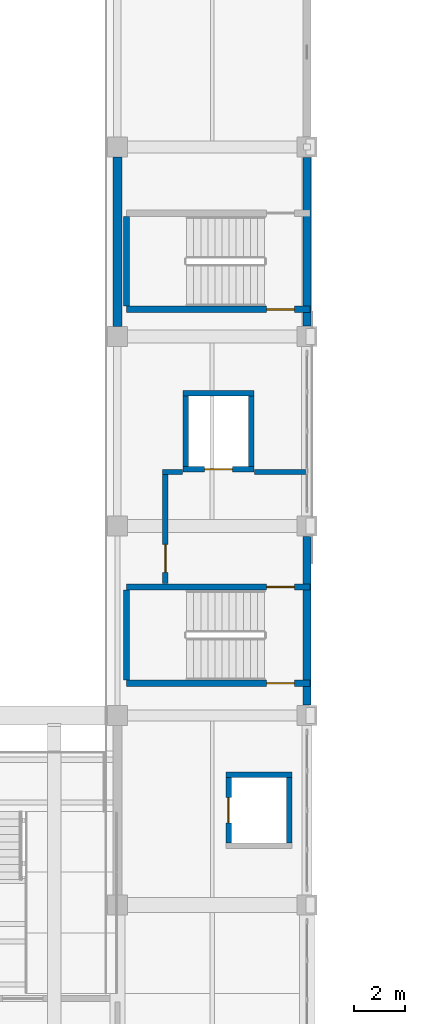
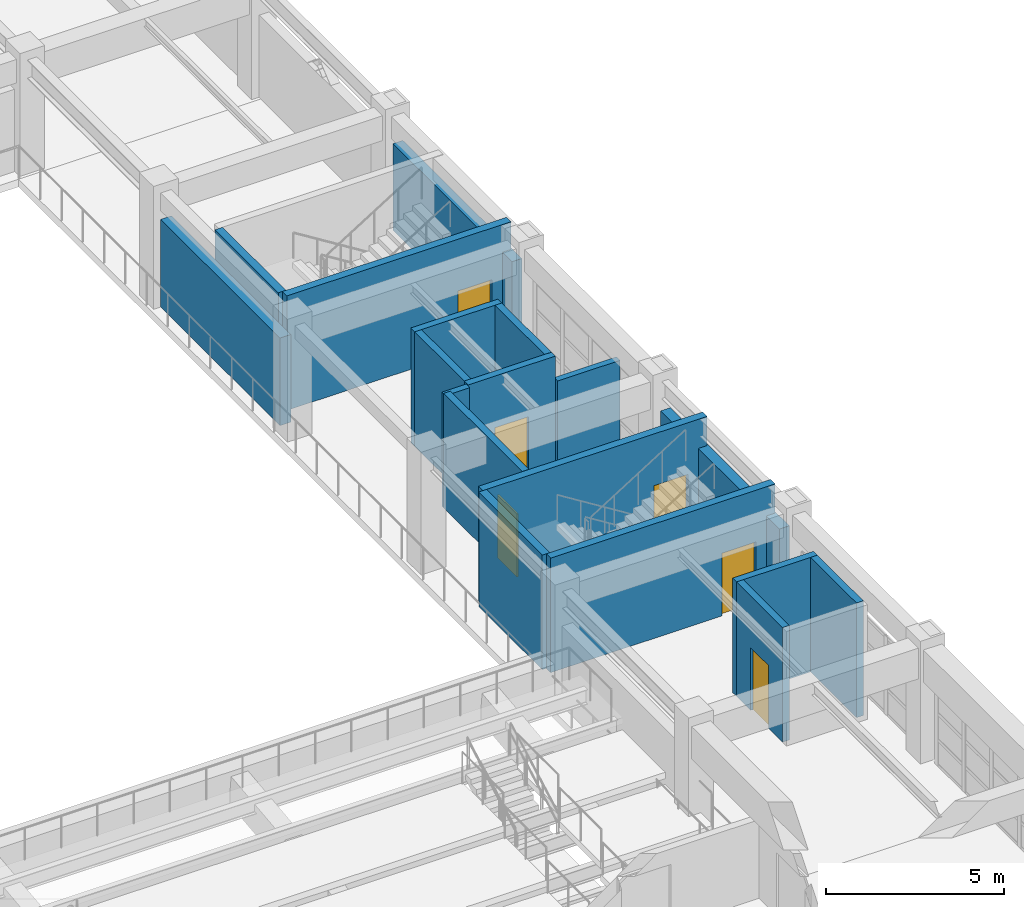
# One storey, part 95 of 124: 18 walls, 6 doors, 6 openings.
"""IFC4 building model written with IfcOpenShell, lengths in metres."""

from ifc_helpers import new_model, si_unit, direction, frame, frame_2d, origin, place, context, subcontext, project, spatial, rectangle, extrude, material, layer, layer_set, type_object, element, fill, save


model = new_model("IFC4")

# Units and contexts
model_context = context("Model", 3, precision=1e-05, world=origin(), true_north=direction((0.0, 1.0)))
body_context = subcontext(model_context, "Body", "Model", "MODEL_VIEW")
ifc_project = project(units=[si_unit("LENGTHUNIT", "METRE"), si_unit("AREAUNIT", "SQUARE_METRE"), si_unit("VOLUMEUNIT", "CUBIC_METRE"), si_unit("PLANEANGLEUNIT", "RADIAN"), si_unit("MASSUNIT", "GRAM", prefix="KILO")], contexts=[model_context])

# Site, building, storey
site_placement = place(None, origin())
site = spatial("IfcSite", under=ifc_project, at=site_placement, CompositionType="ELEMENT")
building_placement = place(site_placement, origin())
building = spatial("IfcBuilding", under=site, at=building_placement, Name="Qasida Concert Hall", CompositionType="ELEMENT")
storey_placement = place(building_placement, frame((0.0, 0.0, 9.0)))
storey = spatial("IfcBuildingStorey", under=building, at=storey_placement, Name="L02", CompositionType="ELEMENT", Elevation=9.0)

# Wall
ifc_material_1 = material(Name="Concrete C40/50", Category="concrete")
ifc_layer_1 = layer(ifc_material_1, 0.219970703125, Name="Concrete C40/50")
ifc_layer_set_1 = layer_set([ifc_layer_1], Name="Concrete C40/50")
wall_type_1 = type_object("IfcWallType", Name="WL-CW-220", PredefinedType="SOLIDWALL", material=ifc_layer_set_1)
wall_1_placement = place(storey_placement, frame((101.7900390625, 42.64990234375, 0.0), z_axis=(0.0, 0.0, 1.0), x_axis=(1.0, 0.0, 0.0)))
element("IfcWall", 1, at=wall_1_placement, inside=storey, type_object=wall_type_1, Name="L02 LF-02 lift shaft wall N", PredefinedType="SOLIDWALL", context=body_context, shape_type="SweptSolid", body=[
    extrude(rectangle(XDim=2.619873046875, YDim=0.219970703125, at=frame_2d((1.31005859375, 0.0))), origin(), (0.0, 0.0, 1.0), 3.919921875),
])

# Wall, opening, door
wall_2_placement = place(storey_placement, frame((101.89990234375, 39.9599609375, 0.0), z_axis=(0.0, 0.0, 1.0), x_axis=(0.0, 1.0, 0.0)))
wall_2 = element("IfcWall", 2, at=wall_2_placement, inside=storey, type_object=wall_type_1, Name="L02 LF-02 lift shaft wall W", PredefinedType="SOLIDWALL", context=body_context, shape_type="SweptSolid", body=[
    extrude(rectangle(XDim=2.580078125, YDim=0.219970703125, at=frame_2d((1.2900390625, 0.0))), origin(), (0.0, 0.0, 1.0), 3.919921875),
])
opening_1_placement = place(wall_2_placement, frame((0.7900390625, 0.0, 0.0)))
opening_1 = element("IfcOpeningElement", 3, at=opening_1_placement, cuts=wall_2, Name="Opening LD-100", PredefinedType="OPENING", context=body_context, shape_type="SweptSolid", body=[
    extrude(rectangle(XDim=1.0, YDim=2.14990234375, at=frame_2d((0.5, 1.074951171875))), frame((0.0, 0.119873046875, 0.0), z_axis=(0.0, -1.0, 0.0), x_axis=(1.0, 0.0, 0.0)), (0.0, 0.0, 1.0), 0.239990234375),
])
ifc_material_2 = material(Name="Brushed bronze passenger lift landing door", Category="steel")
door_type_1 = type_object("IfcDoorType", Name="LD-100", OperationType="SLIDING_TO_LEFT", PredefinedType="DOOR", material=ifc_material_2)
door_1_placement = place(opening_1_placement, origin())
door_1 = element("IfcDoor", 4, at=door_1_placement, inside=storey, type_object=door_type_1, Name="Lift landing door LF-02 L02", OperationType="SLIDING_TO_LEFT", OverallHeight=2.14990234375, OverallWidth=1.0, PredefinedType="DOOR", context=body_context, shape_type="SweptSolid", body=[
    extrude(rectangle(XDim=1.0, YDim=2.14990234375, at=frame_2d((0.5, 1.074951171875))), frame((0.0, 0.02490234375, 0.0), z_axis=(0.0, -1.0, 0.0), x_axis=(1.0, 0.0, 0.0)), (0.0, 0.0, 1.0), 0.050048828125),
])
fill(opening_1, door_1)

# Wall
wall_3_placement = place(storey_placement, frame((104.300048828125, 39.9599609375, 0.0), z_axis=(0.0, 0.0, 1.0), x_axis=(0.0, 1.0, 0.0)))
element("IfcWall", 5, at=wall_3_placement, inside=storey, type_object=wall_type_1, Name="L02 LF-02 lift shaft wall E", PredefinedType="SOLIDWALL", context=body_context, shape_type="SweptSolid", body=[
    extrude(rectangle(XDim=2.580078125, YDim=0.219970703125, at=frame_2d((1.2900390625, 0.0))), origin(), (0.0, 0.0, 1.0), 3.919921875),
])

# Wall, opening, door
wall_4_placement = place(storey_placement, frame((100.090087890625, 54.75, 0.0), z_axis=(0.0, 0.0, 1.0), x_axis=(1.0, 0.0, 0.0)))
wall_4 = element("IfcWall", 6, at=wall_4_placement, inside=storey, type_object=wall_type_1, Name="L02 LF-04 lift shaft wall S", PredefinedType="SOLIDWALL", context=body_context, shape_type="SweptSolid", body=[
    extrude(rectangle(XDim=2.81982421875, YDim=0.219970703125, at=frame_2d((1.409912109375, 0.0))), origin(), (0.0, 0.0, 1.0), 3.919921875),
])
opening_2_placement = place(wall_4_placement, frame((0.860107421875, 0.0, 0.0)))
opening_2 = element("IfcOpeningElement", 7, at=opening_2_placement, cuts=wall_4, Name="Opening LD-110", PredefinedType="OPENING", context=body_context, shape_type="SweptSolid", body=[
    extrude(rectangle(XDim=1.10009765625, YDim=2.14990234375, at=frame_2d((0.550048828125, 1.074951171875))), frame((0.0, 0.119873046875, 0.0), z_axis=(0.0, -1.0, 0.0), x_axis=(1.0, 0.0, 0.0)), (0.0, 0.0, 1.0), 0.239990234375),
])
ifc_material_3 = material(Name="Firefighting lift sliding landing door", Category="steel")
door_type_2 = type_object("IfcDoorType", Name="LD-110", OperationType="SLIDING_TO_LEFT", PredefinedType="DOOR", material=ifc_material_3)
door_2_placement = place(opening_2_placement, origin())
door_2 = element("IfcDoor", 8, at=door_2_placement, inside=storey, type_object=door_type_2, Name="Lift landing door LF-04 L02", OperationType="SLIDING_TO_LEFT", OverallHeight=2.14990234375, OverallWidth=1.10009765625, PredefinedType="DOOR", context=body_context, shape_type="SweptSolid", body=[
    extrude(rectangle(XDim=1.10009765625, YDim=2.14990234375, at=frame_2d((0.550048828125, 1.074951171875))), frame((0.0, 0.02490234375, 0.0), z_axis=(0.0, -1.0, 0.0), x_axis=(1.0, 0.0, 0.0)), (0.0, 0.0, 1.0), 0.050048828125),
])
fill(opening_2, door_2)

# Walls
wall_5_placement = place(storey_placement, frame((100.090087890625, 57.75, 0.0), z_axis=(0.0, 0.0, 1.0), x_axis=(1.0, 0.0, 0.0)))
element("IfcWall", 9, at=wall_5_placement, inside=storey, type_object=wall_type_1, Name="L02 LF-04 lift shaft wall N", PredefinedType="SOLIDWALL", context=body_context, shape_type="SweptSolid", body=[
    extrude(rectangle(XDim=2.81982421875, YDim=0.219970703125, at=frame_2d((1.409912109375, 0.0))), origin(), (0.0, 0.0, 1.0), 3.919921875),
])
for number, where, z_axis, x_axis, name in (
    (10, (100.199951171875, 54.860107421875, 0.0), (0.0, 0.0, 1.0), (0.0, 1.0, 0.0), "L02 LF-04 lift shaft wall W"),
    (11, (102.800048828125, 54.860107421875, 0.0), (0.0, 0.0, 1.0), (0.0, 1.0, 0.0), "L02 LF-04 lift shaft wall E"),
):
    element("IfcWall", number, at=place(storey_placement, frame(where, z_axis=z_axis, x_axis=x_axis)), inside=storey, type_object=wall_type_1, Name=name, PredefinedType="SOLIDWALL", context=body_context, shape_type="SweptSolid", body=[
        extrude(rectangle(XDim=2.77978515625, YDim=0.219970703125, at=frame_2d((1.389892578125, 0.0))), origin(), (0.0, 0.0, 1.0), 3.919921875),
    ])

# Wall, opening, door
wall_6_placement = place(storey_placement, frame((99.39990234375, 50.219970703125, 0.0), z_axis=(0.0, 0.0, 1.0), x_axis=(0.0, 1.0, 0.0)))
wall_6 = element("IfcWall", 12, at=wall_6_placement, inside=storey, type_object=wall_type_1, Name="L02 LF-04 firefighting lobby wall", PredefinedType="SOLIDWALL", context=body_context, shape_type="SweptSolid", body=[
    extrude(rectangle(XDim=4.409912109375, YDim=0.219970703125, at=frame_2d((2.205078125, 0.0))), origin(), (0.0, 0.0, 1.0), 3.919921875),
])
opening_3_placement = place(wall_6_placement, frame((0.449951171875, 0.0, 0.0)))
opening_3 = element("IfcOpeningElement", 13, at=opening_3_placement, cuts=wall_6, Name="Opening FD-110", PredefinedType="OPENING", context=body_context, shape_type="SweptSolid", body=[
    extrude(rectangle(XDim=1.10009765625, YDim=2.14990234375, at=frame_2d((0.550048828125, 1.074951171875))), frame((0.0, 0.119873046875, 0.0), z_axis=(0.0, -1.0, 0.0), x_axis=(1.0, 0.0, 0.0)), (0.0, 0.0, 1.0), 0.239990234375),
])
ifc_material_4 = material(Name="Steel fire-rated stair/lobby door set", Category="steel")
door_type_3 = type_object("IfcDoorType", Name="FD-110", OperationType="NOTDEFINED", PredefinedType="DOOR", material=ifc_material_4)
door_3_placement = place(opening_3_placement, origin())
door_3 = element("IfcDoor", 14, at=door_3_placement, inside=storey, type_object=door_type_3, Name="L02 LF-04 firefighting lobby fire door", OperationType="SINGLE_SWING_LEFT", OverallHeight=2.14990234375, OverallWidth=1.10009765625, PredefinedType="DOOR", context=body_context, shape_type="SweptSolid", body=[
    extrude(rectangle(XDim=1.10009765625, YDim=2.14990234375, at=frame_2d((0.550048828125, 1.074951171875))), frame((0.0, 0.02490234375, 0.0), z_axis=(0.0, -1.0, 0.0), x_axis=(1.0, 0.0, 0.0)), (0.0, 0.0, 1.0), 0.050048828125),
])
fill(opening_3, door_3)

ifc_layer_2 = layer(ifc_material_1, 0.25, Name="Concrete C40/50")
ifc_layer_set_2 = layer_set([ifc_layer_2], Name="Concrete C40/50")
wall_type_2 = type_object("IfcWallType", Name="WL-CW-250", PredefinedType="SOLIDWALL", material=ifc_layer_set_2)
wall_7_placement = place(storey_placement, frame((97.860107421875, 46.27490234375, 0.0), z_axis=(0.0, 0.0, 1.0), x_axis=(1.0, 0.0, 0.0)))
wall_7 = element("IfcWall", 15, at=wall_7_placement, inside=storey, type_object=wall_type_2, Name="L02 ST-02 stairwell wall S", PredefinedType="SOLIDWALL", context=body_context, shape_type="SweptSolid", body=[
    extrude(rectangle(XDim=7.260009765625, YDim=0.25, at=frame_2d((3.6298828125, 0.0))), origin(), (0.0, 0.0, 1.0), 3.919921875),
])
opening_4_placement = place(wall_7_placement, frame((5.5400390625, 0.0, 0.0)))
opening_4 = element("IfcOpeningElement", 16, at=opening_4_placement, cuts=wall_7, Name="Opening FD-110", PredefinedType="OPENING", context=body_context, shape_type="SweptSolid", body=[
    extrude(rectangle(XDim=1.10009765625, YDim=2.14990234375, at=frame_2d((0.550048828125, 1.074951171875))), frame((0.0, 0.135009765625, 0.0), z_axis=(0.0, -1.0, 0.0), x_axis=(1.0, 0.0, 0.0)), (0.0, 0.0, 1.0), 0.27001953125),
])
door_4_placement = place(opening_4_placement, origin())
door_4 = element("IfcDoor", 17, at=door_4_placement, inside=storey, type_object=door_type_3, Name="L02 ST-02 rated stair door", OperationType="SINGLE_SWING_LEFT", OverallHeight=2.14990234375, OverallWidth=1.10009765625, PredefinedType="DOOR", context=body_context, shape_type="SweptSolid", body=[
    extrude(rectangle(XDim=1.10009765625, YDim=2.14990234375, at=frame_2d((0.550048828125, 1.074951171875))), frame((0.0, 0.02490234375, 0.0), z_axis=(0.0, -1.0, 0.0), x_axis=(1.0, 0.0, 0.0)), (0.0, 0.0, 1.0), 0.050048828125),
])
fill(opening_4, door_4)

wall_8_placement = place(storey_placement, frame((97.860107421875, 50.0849609375, 0.0), z_axis=(0.0, 0.0, 1.0), x_axis=(1.0, 0.0, 0.0)))
wall_8 = element("IfcWall", 18, at=wall_8_placement, inside=storey, type_object=wall_type_2, Name="L02 ST-02 stairwell wall N", PredefinedType="SOLIDWALL", context=body_context, shape_type="SweptSolid", body=[
    extrude(rectangle(XDim=7.260009765625, YDim=0.25, at=frame_2d((3.6298828125, 0.0))), origin(), (0.0, 0.0, 1.0), 3.919921875),
])
opening_5_placement = place(wall_8_placement, frame((5.5400390625, 0.0, 0.0)))
opening_5 = element("IfcOpeningElement", 19, at=opening_5_placement, cuts=wall_8, Name="Opening FD-110", PredefinedType="OPENING", context=body_context, shape_type="SweptSolid", body=[
    extrude(rectangle(XDim=1.10009765625, YDim=2.14990234375, at=frame_2d((0.550048828125, 1.074951171875))), frame((0.0, 0.135009765625, 0.0), z_axis=(0.0, -1.0, 0.0), x_axis=(1.0, 0.0, 0.0)), (0.0, 0.0, 1.0), 0.27001953125),
])
door_5_placement = place(opening_5_placement, frame((1.10009765625, 0.0, 0.0), z_axis=(0.0, 0.0, 1.0), x_axis=(-1.0, 0.0, 0.0)))
door_5 = element("IfcDoor", 20, at=door_5_placement, inside=storey, type_object=door_type_3, Name="L02 ST-02 rated stair door", OperationType="SINGLE_SWING_RIGHT", OverallHeight=2.14990234375, OverallWidth=1.10009765625, PredefinedType="DOOR", context=body_context, shape_type="SweptSolid", body=[
    extrude(rectangle(XDim=1.10009765625, YDim=2.14990234375, at=frame_2d((0.550048828125, 1.074951171875))), frame((0.0, 0.02490234375, 0.0), z_axis=(0.0, -1.0, 0.0), x_axis=(1.0, 0.0, 0.0)), (0.0, 0.0, 1.0), 0.050048828125),
])
fill(opening_5, door_5)

# Wall
wall_9_placement = place(storey_placement, frame((97.85498046875, 46.39990234375, 0.0), z_axis=(0.0, 0.0, 1.0), x_axis=(0.0, 1.0, 0.0)))
element("IfcWall", 21, at=wall_9_placement, inside=storey, type_object=wall_type_2, Name="L02 ST-02 stairwell wall W", PredefinedType="SOLIDWALL", context=body_context, shape_type="SweptSolid", body=[
    extrude(rectangle(XDim=3.56005859375, YDim=0.25, at=frame_2d((1.780029296875, 0.0))), origin(), (0.0, 0.0, 1.0), 3.919921875),
])

# Wall, opening, door
wall_10_placement = place(storey_placement, frame((97.860107421875, 61.074951171875, 0.0), z_axis=(0.0, 0.0, 1.0), x_axis=(1.0, 0.0, 0.0)))
wall_10 = element("IfcWall", 22, at=wall_10_placement, inside=storey, type_object=wall_type_2, Name="L02 ST-12 stairwell wall S", PredefinedType="SOLIDWALL", context=body_context, shape_type="SweptSolid", body=[
    extrude(rectangle(XDim=7.260009765625, YDim=0.25, at=frame_2d((3.6298828125, 0.0))), origin(), (0.0, 0.0, 1.0), 3.919921875),
])
opening_6_placement = place(wall_10_placement, frame((5.5400390625, 0.0, 0.0)))
opening_6 = element("IfcOpeningElement", 23, at=opening_6_placement, cuts=wall_10, Name="Opening FD-110", PredefinedType="OPENING", context=body_context, shape_type="SweptSolid", body=[
    extrude(rectangle(XDim=1.10009765625, YDim=2.14990234375, at=frame_2d((0.550048828125, 1.074951171875))), frame((0.0, 0.135009765625, 0.0), z_axis=(0.0, -1.0, 0.0), x_axis=(1.0, 0.0, 0.0)), (0.0, 0.0, 1.0), 0.27001953125),
])
door_6_placement = place(opening_6_placement, origin())
door_6 = element("IfcDoor", 24, at=door_6_placement, inside=storey, type_object=door_type_3, Name="L02 ST-12 rated stair door", OperationType="SINGLE_SWING_LEFT", OverallHeight=2.14990234375, OverallWidth=1.10009765625, PredefinedType="DOOR", context=body_context, shape_type="SweptSolid", body=[
    extrude(rectangle(XDim=1.10009765625, YDim=2.14990234375, at=frame_2d((0.550048828125, 1.074951171875))), frame((0.0, 0.02490234375, 0.0), z_axis=(0.0, -1.0, 0.0), x_axis=(1.0, 0.0, 0.0)), (0.0, 0.0, 1.0), 0.050048828125),
])
fill(opening_6, door_6)

# Walls
wall_11_placement = place(storey_placement, frame((97.85498046875, 61.199951171875, 0.0), z_axis=(0.0, 0.0, 1.0), x_axis=(0.0, 1.0, 0.0)))
element("IfcWall", 25, at=wall_11_placement, inside=storey, type_object=wall_type_2, Name="L02 ST-12 stairwell wall W", PredefinedType="SOLIDWALL", context=body_context, shape_type="SweptSolid", body=[
    extrude(rectangle(XDim=3.56005859375, YDim=0.25, at=frame_2d((1.780029296875, 0.0))), origin(), (0.0, 0.0, 1.0), 3.919921875),
])
ifc_material_5 = material(Name="Precast concrete C40/50", Category="concrete")
ifc_layer_3 = layer(ifc_material_5, 0.320068359375, Name="Precast concrete C40/50")
ifc_layer_set_3 = layer_set([ifc_layer_3], Name="Precast concrete C40/50")
wall_type_3 = type_object("IfcWallType", Name="WL-EW-320", PredefinedType="SOLIDWALL", material=ifc_layer_set_3)
wall_12_placement = place(storey_placement, frame((105.0, 45.4150390625, 0.0), z_axis=(0.0, 0.0, 1.0), x_axis=(0.0, 1.0, 0.0)))
element("IfcWall", 26, at=wall_12_placement, inside=storey, type_object=wall_type_3, Name="L02 exterior wall EW-320 0049", PredefinedType="SOLIDWALL", context=body_context, shape_type="SweptSolid", body=[
    extrude(rectangle(XDim=6.669921875, YDim=0.320068359375, at=frame_2d((3.3349609375, 0.0))), origin(), (0.0, 0.0, 1.0), 2.919921875),
])
wall_13_placement = place(storey_placement, frame((105.0, 60.4150390625, 0.0), z_axis=(0.0, 0.0, 1.0), x_axis=(0.0, 1.0, 0.0)))
element("IfcWall", 27, at=wall_13_placement, inside=storey, type_object=wall_type_3, Name="L02 exterior wall EW-320 0051", PredefinedType="SOLIDWALL", context=body_context, shape_type="SweptSolid", body=[
    extrude(rectangle(XDim=6.669921875, YDim=0.320068359375, at=frame_2d((3.3349609375, 0.0))), origin(), (0.0, 0.0, 1.0), 2.969970703125),
])
ifc_material_6 = material(Name="Acoustic gypsum block and mineral wool", Category="gypsum")
ifc_layer_4 = layer(ifc_material_6, 0.199951171875, Name="Acoustic gypsum block and mineral wool")
ifc_layer_set_4 = layer_set([ifc_layer_4], Name="Acoustic gypsum block and mineral wool")
wall_type_4 = type_object("IfcWallType", Name="WL-PW-200", PredefinedType="PARTITIONING", material=ifc_layer_set_4)
wall_14_placement = place(storey_placement, frame((99.2900390625, 54.6298828125, 0.0), z_axis=(0.0, 0.0, 1.0), x_axis=(1.0, 0.0, 0.0)))
element("IfcWall", 28, at=wall_14_placement, inside=storey, type_object=wall_type_4, Name="L02 LF-04 firefighting lobby return wall", PredefinedType="PARTITIONING", context=body_context, shape_type="SweptSolid", body=[
    extrude(rectangle(XDim=0.784912109375, YDim=0.199951171875, at=frame_2d((0.392578125, 0.0))), origin(), (0.0, 0.0, 1.0), 3.89990234375),
])
wall_15_placement = place(storey_placement, frame((102.925048828125, 54.6298828125, 0.0), z_axis=(0.0, 0.0, 1.0), x_axis=(1.0, 0.0, 0.0)))
element("IfcWall", 29, at=wall_15_placement, inside=storey, type_object=wall_type_4, Name="L02 LF-04 firefighting lobby return wall", PredefinedType="PARTITIONING", context=body_context, shape_type="SweptSolid", body=[
    extrude(rectangle(XDim=2.014892578125, YDim=0.199951171875, at=frame_2d((1.00732421875, 0.0))), origin(), (0.0, 0.0, 1.0), 3.1298828125),
])
ifc_layer_5 = layer(ifc_material_1, 0.35009765625, Name="Concrete C40/50")
ifc_layer_set_5 = layer_set([ifc_layer_5], Name="Concrete C40/50")
wall_type_5 = type_object("IfcWallType", Name="WL-SW-350", PredefinedType="SHEAR", material=ifc_layer_set_5)
wall_16_placement = place(storey_placement, frame((97.5, 60.39990234375, 0.0), z_axis=(0.0, 0.0, 1.0), x_axis=(0.0, 1.0, 0.0)))
element("IfcWall", 30, at=wall_16_placement, inside=storey, type_object=wall_type_5, Name="L02 acoustic box shear wall 0025", PredefinedType="SHEAR", context=body_context, shape_type="SweptSolid", body=[
    extrude(rectangle(XDim=6.7001953125, YDim=0.35009765625, at=frame_2d((3.35009765625, 0.0))), origin(), (0.0, 0.0, 1.0), 3.0),
])

save(model, "model.ifc")
